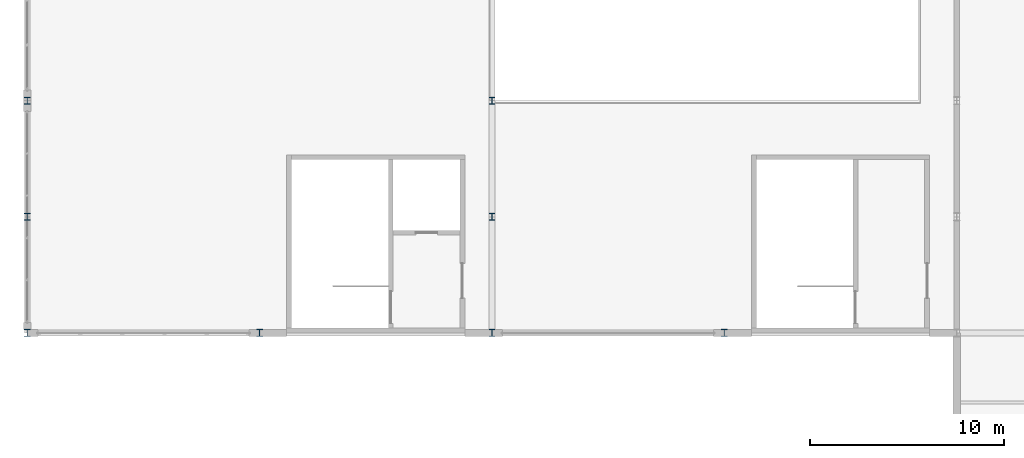
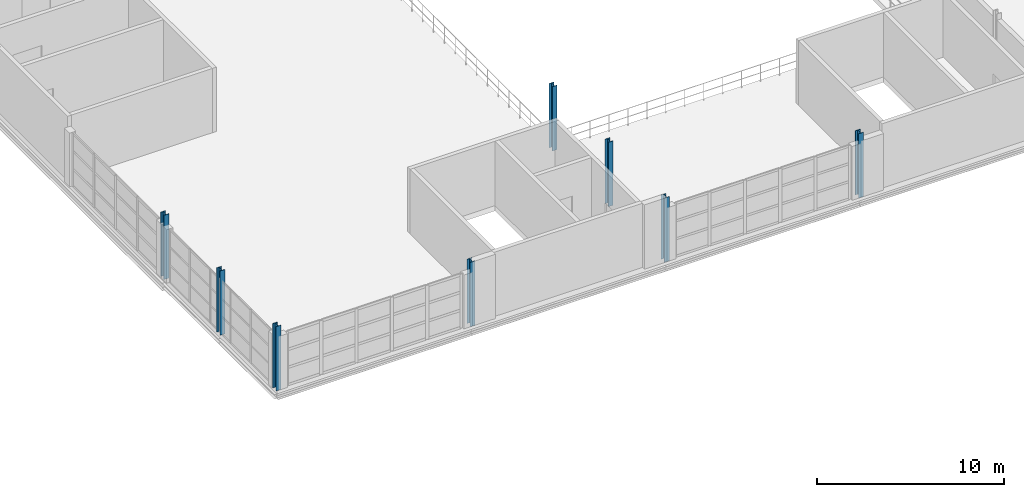
# One storey, part 2 of 147: 8 columns.
"""IFC4 building model written with IfcOpenShell, lengths in metres."""

import ifcopenshell
import ifcopenshell.guid

model = None  # the IFC model being written
_history = None  # IfcOwnerHistory: only IFC2X3 demands one
_inside = {}  # id of a spatial element -> (the spatial element, [elements in it])
_under = {}  # id of a project, library or spatial element -> (it, [spatial elements below it])
_declared = {}  # id of a project -> (the project, [libraries it declares])
_typed = {}  # id of a type object -> (the type object, [elements of that type])
_made_of = {}  # id of a material, layer set ... -> (it, [elements and type objects made of it])


def new_model(schema):
    """Start an empty IFC model of exactly this schema.

    Asked for "IFC4X3", IfcOpenShell would pick the latest addendum, in which some entities
    have other attributes; the version numbers below select the first issue.
    IFC2X3 requires an IfcOwnerHistory on every rooted entity: one is made here for all.
    """
    global model, _history
    if schema == "IFC4X3":
        model = ifcopenshell.file(schema_version=(4, 3, 0, 0))
    else:
        model = ifcopenshell.file(schema=schema)
    _inside.clear()
    _under.clear()
    _declared.clear()
    _typed.clear()
    _made_of.clear()
    _history = None
    if model.schema == "IFC2X3":
        org = make("IfcOrganization", Name="unknown")
        user = make(
            "IfcPersonAndOrganization",
            ThePerson=make("IfcPerson", FamilyName="unknown"),
            TheOrganization=org,
        )
        app = make(
            "IfcApplication",
            ApplicationDeveloper=org,
            Version="unknown",
            ApplicationFullName="unknown",
            ApplicationIdentifier="unknown",
        )
        _history = make(
            "IfcOwnerHistory",
            OwningUser=user,
            OwningApplication=app,
            ChangeAction="ADDED",
            CreationDate=0,
        )
    return model


def make(cls, **values):
    """One entity of the class cls with the attributes given. An attribute that is None is left unset."""
    return model.create_entity(
        cls, **{name: value for name, value in values.items() if value is not None}
    )


def rooted(cls, **values):
    """An entity with a GlobalId (a new one), such as an element, a storey or a relation."""
    return make(cls, GlobalId=ifcopenshell.guid.new(), OwnerHistory=_history, **values)


def si_unit(unit_type, name, prefix=None):
    """IfcSIUnit, for example si_unit("LENGTHUNIT", "METRE", prefix="MILLI")."""
    return make("IfcSIUnit", UnitType=unit_type, Prefix=prefix, Name=name)


def assignment(units):
    """IfcUnitAssignment: the units of a project."""
    return None if units is None else make("IfcUnitAssignment", Units=units)


def point(xyz):
    """IfcCartesianPoint."""
    return None if xyz is None else make("IfcCartesianPoint", Coordinates=xyz)


def direction(xyz):
    """IfcDirection."""
    return None if xyz is None else make("IfcDirection", DirectionRatios=xyz)


def frame(location, z_axis=None, x_axis=None):
    """IfcAxis2Placement3D, a coordinate frame: its origin and axes. An axis left out is left unset."""
    return make(
        "IfcAxis2Placement3D",
        Location=point(location),
        Axis=direction(z_axis),
        RefDirection=direction(x_axis),
    )


def frame_2d(location, x_axis=None):
    """IfcAxis2Placement2D, a coordinate frame in the plane: its origin and x axis."""
    return make(
        "IfcAxis2Placement2D", Location=point(location), RefDirection=direction(x_axis)
    )


def origin():
    """The frame at (0, 0, 0) with its axes left unset."""
    return frame((0.0, 0.0, 0.0))


def origin_2d():
    """The frame at (0, 0) in the plane with its x axis left unset."""
    return frame_2d((0.0, 0.0))


def place(relative_to, where):
    """IfcLocalPlacement: puts the frame where relative to a parent placement (None: the world)."""
    return make(
        "IfcLocalPlacement", PlacementRelTo=relative_to, RelativePlacement=where
    )


def context(
    kind, dimensions, precision=None, world=None, true_north=None, identifier=None
):
    """IfcGeometricRepresentationContext, for example the 3D "Model" context."""
    return make(
        "IfcGeometricRepresentationContext",
        ContextIdentifier=identifier,
        ContextType=kind,
        CoordinateSpaceDimension=dimensions,
        Precision=precision,
        WorldCoordinateSystem=world,
        TrueNorth=true_north,
    )


def subcontext(parent, identifier, kind, view, scale=None):
    """IfcGeometricRepresentationSubContext, for example "Body" below "Model"."""
    return make(
        "IfcGeometricRepresentationSubContext",
        ContextIdentifier=identifier,
        ContextType=kind,
        ParentContext=parent,
        TargetScale=scale,
        TargetView=view,
    )


def project(units=None, contexts=None):
    """IfcProject with its units and contexts."""
    return rooted(
        "IfcProject",
        Name="project",
        RepresentationContexts=contexts,
        UnitsInContext=assignment(units),
    )


def spatial(cls, under=None, at=None, **own):
    """A site, building, storey or space (cls), placed at a placement, below another one or the project."""
    s = rooted(cls, ObjectPlacement=at, **own)
    if under is not None:
        _under.setdefault(under.id(), (under, []))[1].append(s)
    return s


def profile(cls, at=None, kind="AREA", **sizes):
    """A parametric profile (cls). Its sizes go by their IFC names, for example OverallWidth=200.0."""
    return make(cls, ProfileType=kind, Position=at, **sizes)


def i_section(**sizes):
    """IfcIShapeProfileDef."""
    return profile("IfcIShapeProfileDef", **sizes)


def extrude(swept, where, along, depth):
    """IfcExtrudedAreaSolid: the profile swept, set in the frame where, extruded along a direction by depth."""
    return make(
        "IfcExtrudedAreaSolid",
        SweptArea=swept,
        Position=where,
        ExtrudedDirection=direction(along),
        Depth=depth,
    )


def shape(context_of_items, identifier, shape_type, items):
    """IfcShapeRepresentation: the items that make up one representation, for example the "Body"."""
    return make(
        "IfcShapeRepresentation",
        ContextOfItems=context_of_items,
        RepresentationIdentifier=identifier,
        RepresentationType=shape_type,
        Items=items,
    )


def material(Name=None, Category=None):
    """IfcMaterial."""
    return make("IfcMaterial", Name=Name, Category=Category)


def material_profile(
    of_material, cross_section, Name=None, Category=None, Priority=None
):
    """IfcMaterialProfile: a cross section and its material."""
    return make(
        "IfcMaterialProfile",
        Name=Name,
        Material=of_material,
        Profile=cross_section,
        Priority=Priority,
        Category=Category,
    )


def profile_set(profiles, Name=None, composite=None):
    """IfcMaterialProfileSet."""
    return make(
        "IfcMaterialProfileSet",
        Name=Name,
        MaterialProfiles=profiles,
        CompositeProfile=composite,
    )


def made_of(thing, what):
    """Note that an element or type object is made of a material, layer set ...; save() writes the relation."""
    if what is not None:
        _made_of.setdefault(what.id(), (what, []))[1].append(thing)
    return thing


def type_object(cls, material=None, **own):
    """A type object (cls), such as IfcWallType, which elements share."""
    return made_of(rooted(cls, **own), material)


def element(
    cls,
    number,
    at=None,
    inside=None,
    cuts=None,
    type_object=None,
    material=None,
    context=None,
    identifier="Body",
    shape_type=None,
    held_by="IfcProductDefinitionShape",
    body=None,
    shapes=None,
    **own,
):
    """One element of the class cls, such as IfcWall. Its Tag is "e" and its number.

    at: its placement. inside: the storey or other place that contains it. cuts: it is an
    opening in that element (IfcRelVoidsElement). A single representation is given by context,
    identifier, shape_type and body (its items); several are given by shapes. held_by: the class
    of the entity that holds the representations. save() writes the other relations.
    """
    e = rooted(cls, Tag="e%d" % number, ObjectPlacement=at, **own)
    if body is not None:
        shapes = [shape(context, identifier, shape_type, body)]
    if shapes is not None:
        e.Representation = make(held_by, Representations=shapes)
    if inside is not None:
        _inside.setdefault(inside.id(), (inside, []))[1].append(e)
    if cuts is not None:
        rooted(
            "IfcRelVoidsElement", RelatingBuildingElement=cuts, RelatedOpeningElement=e
        )
    if type_object is not None:
        _typed.setdefault(type_object.id(), (type_object, []))[1].append(e)
    return made_of(e, material)


def aggregate(whole, parts):
    """IfcRelAggregates: a whole, such as a stair, and the parts it consists of."""
    return rooted("IfcRelAggregates", RelatingObject=whole, RelatedObjects=parts)


def save(model, path):
    """Write the relations noted so far, then the file.

    IfcRelAggregates (storeys below a building ...), IfcRelContainedInSpatialStructure (elements
    in a storey), IfcRelDefinesByType, IfcRelAssociatesMaterial and IfcRelDeclares: one each for
    every whole, place, type object, material and project.
    """
    for whole, parts in _under.values():
        aggregate(whole, parts)
    for where, things in _inside.values():
        rooted(
            "IfcRelContainedInSpatialStructure",
            RelatedElements=things,
            RelatingStructure=where,
        )
    for kind, things in _typed.values():
        rooted("IfcRelDefinesByType", RelatedObjects=things, RelatingType=kind)
    for what, things in _made_of.values():
        rooted("IfcRelAssociatesMaterial", RelatedObjects=things, RelatingMaterial=what)
    for by, libraries in _declared.values():
        rooted("IfcRelDeclares", RelatingContext=by, RelatedDefinitions=libraries)
    model.write(path)


model = new_model("IFC4")

# Units and contexts
model_context = context("Model", 3, precision=1e-05, world=origin(), true_north=direction((0.0, 1.0)))
body_context = subcontext(model_context, "Body", "Model", "MODEL_VIEW")
ifc_project = project(units=[si_unit("LENGTHUNIT", "METRE"), si_unit("AREAUNIT", "SQUARE_METRE"), si_unit("VOLUMEUNIT", "CUBIC_METRE"), si_unit("PLANEANGLEUNIT", "RADIAN"), si_unit("MASSUNIT", "GRAM", prefix="KILO")], contexts=[model_context])

# Site, building, storey
site_placement = place(None, origin())
site = spatial("IfcSite", under=ifc_project, at=site_placement, CompositionType="ELEMENT")
building_placement = place(site_placement, origin())
building = spatial("IfcBuilding", under=site, at=building_placement, Name="Zilviju Railside Exhibition Hall", CompositionType="ELEMENT")
storey_placement = place(building_placement, frame((0.0, 0.0, 8.39990234375)))
storey = spatial("IfcBuildingStorey", under=building, at=storey_placement, Name="L03", CompositionType="ELEMENT", Elevation=8.39990234375)

# Columns
ifc_material = material(Name="Steel S355J2", Category="steel")
ifc_material_profile = material_profile(ifc_material, i_section(OverallWidth=0.300048828125, OverallDepth=0.360107421875, WebThickness=0.012451171875, FlangeThickness=0.0224609375, at=origin_2d()), Name="HEB 360")
ifc_profile_set = profile_set([ifc_material_profile], Name="Steel S355J2")
column_type = type_object("IfcColumnType", Name="COL-ST-HEB360", PredefinedType="COLUMN", material=ifc_profile_set)
for number, where, z_axis, x_axis, name in (
    (1, (0.0, 36.0, 0.0), (0.0, 0.0, 1.0), (1.0, 0.0, 0.0), "Structural Column L03 (0.0, 36.0)"),
    (2, (12.0, 36.0, 0.0), (0.0, 0.0, 1.0), (1.0, 0.0, 0.0), "Structural Column L03 (12.0, 36.0)"),
    (3, (24.0, 36.0, 0.0), (0.0, 0.0, 1.0), (1.0, 0.0, 0.0), "Structural Column L03 (24.0, 36.0)"),
    (4, (36.0, 36.0, 0.0), (0.0, 0.0, 1.0), (1.0, 0.0, 0.0), "Structural Column L03 (36.0, 36.0)"),
    (5, (0.0, 42.0, 0.0), (0.0, 0.0, 1.0), (1.0, 0.0, 0.0), "Structural Column L03 (0.0, 42.0)"),
    (6, (24.0, 42.0, 0.0), (0.0, 0.0, 1.0), (1.0, 0.0, 0.0), "Structural Column L03 (24.0, 42.0)"),
    (7, (0.0, 48.0, 0.0), (0.0, 0.0, 1.0), (1.0, 0.0, 0.0), "Structural Column L03 (0.0, 48.0)"),
    (8, (24.0, 48.0, 0.0), (0.0, 0.0, 1.0), (1.0, 0.0, 0.0), "Structural Column L03 (24.0, 48.0)"),
):
    element("IfcColumn", number, at=place(storey_placement, frame(where, z_axis=z_axis, x_axis=x_axis)), inside=storey, type_object=column_type, Name=name, PredefinedType="COLUMN", context=body_context, shape_type="SweptSolid", body=[
        extrude(i_section(OverallWidth=0.300048828125, OverallDepth=0.360107421875, WebThickness=0.012451171875, FlangeThickness=0.0224609375, at=origin_2d()), origin(), (0.0, 0.0, 1.0), 4.2001953125),
    ])

save(model, "model.ifc")
